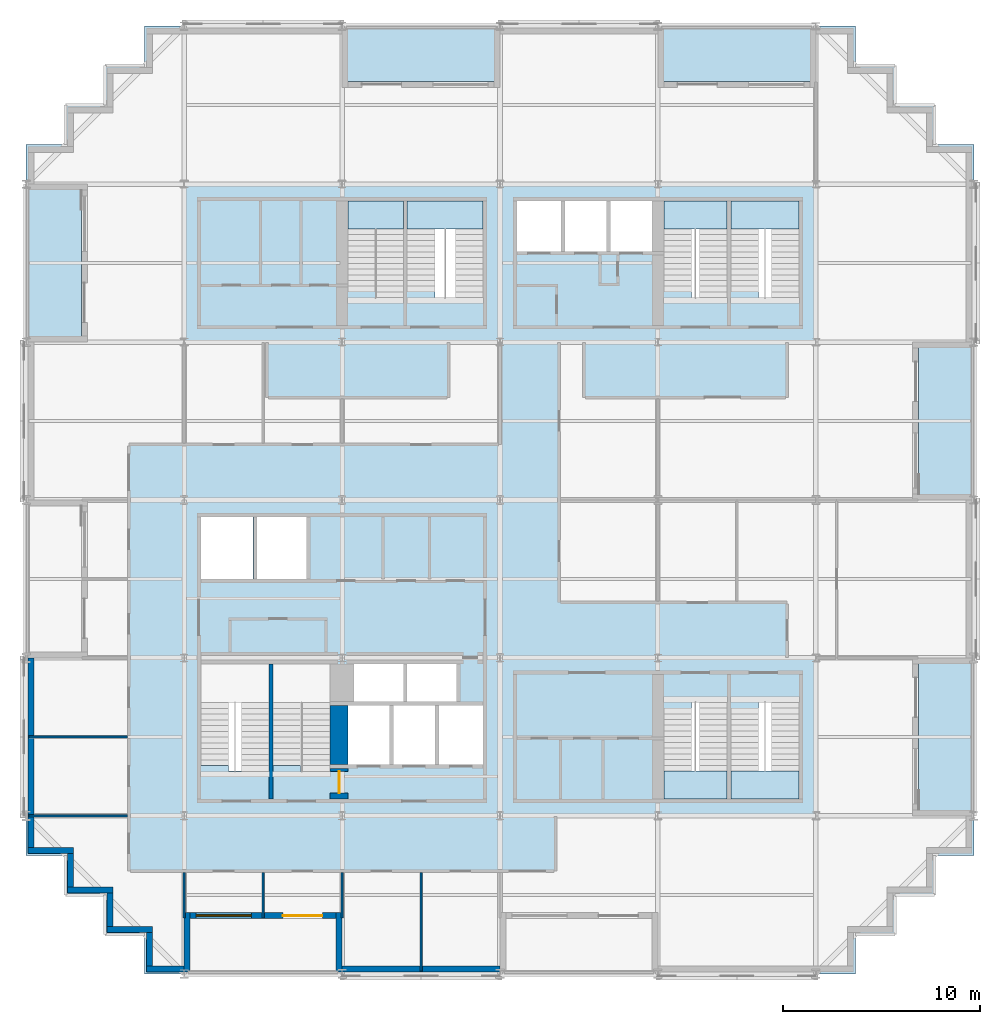
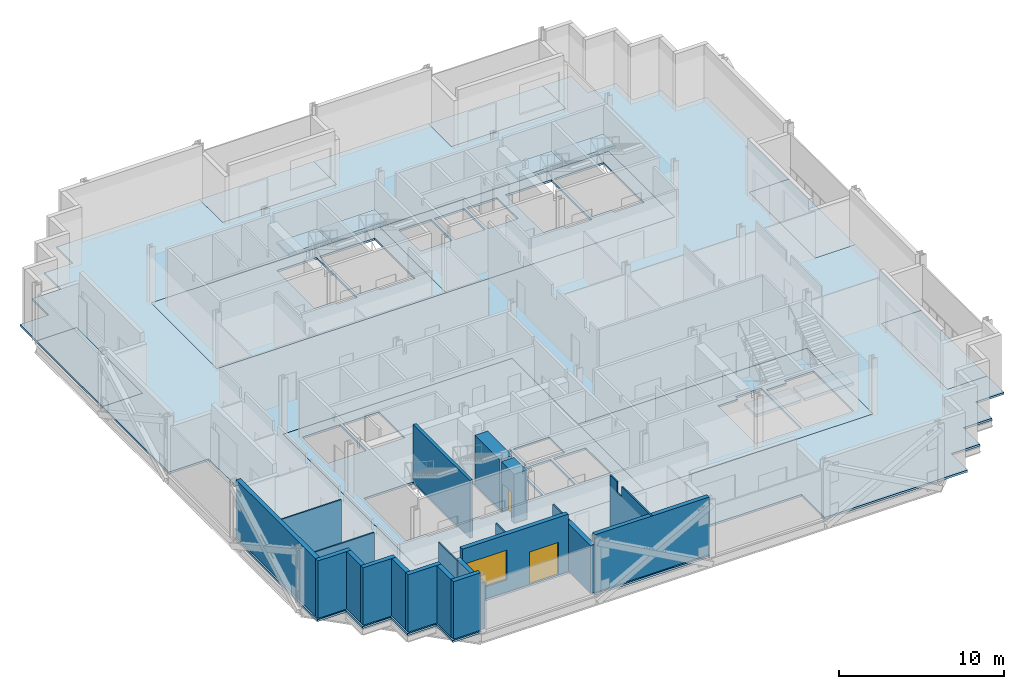
# One storey, part 5 of 13: 21 walls, 16 slabs, 2 doors, 1 window, 3 openings, 6 elements without a shape of their own.
"""IFC4 building model written with IfcOpenShell, lengths in metres."""

from ifc_helpers import new_model, si_unit, direction, frame, frame_2d, origin, place, context, subcontext, project, spatial, polyline, rectangle, outline, extrude, material, layer, layer_set, type_object, element, fill, aggregate, save


model = new_model("IFC4")

# Units and contexts
model_context = context("Model", 3, precision=1e-05, world=origin(), true_north=direction((0.0, 1.0)))
body_context = subcontext(model_context, "Body", "Model", "MODEL_VIEW")
ifc_project = project(units=[si_unit("LENGTHUNIT", "METRE"), si_unit("AREAUNIT", "SQUARE_METRE"), si_unit("VOLUMEUNIT", "CUBIC_METRE"), si_unit("PLANEANGLEUNIT", "RADIAN"), si_unit("MASSUNIT", "GRAM", prefix="KILO")], contexts=[model_context])

# Site, building, storey
site_placement = place(None, origin())
site = spatial("IfcSite", under=ifc_project, at=site_placement, CompositionType="ELEMENT")
building_placement = place(site_placement, origin())
building = spatial("IfcBuilding", under=site, at=building_placement, Name="Immortelle Media Tower", CompositionType="ELEMENT")
storey_placement = place(building_placement, frame((0.0, 0.0, 74.39990234375)))
storey = spatial("IfcBuildingStorey", under=building, at=storey_placement, Name="L13", CompositionType="ELEMENT", Elevation=74.39990234375)

# Slabs
ifc_material_1 = material(Name="Concrete C50/60 composite deck", Category="concrete")
ifc_layer_1 = layer(ifc_material_1, 0.14990234375)
ifc_layer_set_1 = layer_set([ifc_layer_1], Name="Concrete C50/60 composite deck")
slab_type_1 = type_object("IfcSlabType", Name="Balcony slab 150", PredefinedType="FLOOR", material=ifc_layer_set_1)
slab_1_placement = place(storey_placement, frame((0.0, 0.0, -0.14990234375)))
element("IfcSlab", 1, at=slab_1_placement, inside=storey, type_object=slab_type_1, Name="Balcony slab L13 W0", PredefinedType="FLOOR", context=body_context, shape_type="SweptSolid", body=[
    extrude(outline(polyline([(2.800048828125, 32.0), (2.800048828125, 40.0), (0.0, 40.0), (0.0, 32.0), (2.800048828125, 32.0)])), origin(), (0.0, 0.0, 1.0), 0.14990234375),
])
slab_2_placement = place(storey_placement, frame((0.0, 0.0, -0.14990234375)))
element("IfcSlab", 2, at=slab_2_placement, inside=storey, type_object=slab_type_1, Name="Balcony slab L13 E0", PredefinedType="FLOOR", context=body_context, shape_type="SweptSolid", body=[
    extrude(outline(polyline([(48.0, 8.0), (48.0, 16.0), (45.199951171875, 16.0), (45.199951171875, 8.0), (48.0, 8.0)])), origin(), (0.0, 0.0, 1.0), 0.14990234375),
])
slab_3_placement = place(storey_placement, frame((0.0, 0.0, -0.14990234375)))
element("IfcSlab", 3, at=slab_3_placement, inside=storey, type_object=slab_type_1, Name="Balcony slab L13 E2", PredefinedType="FLOOR", context=body_context, shape_type="SweptSolid", body=[
    extrude(outline(polyline([(48.0, 24.0), (48.0, 32.0), (45.199951171875, 32.0), (45.199951171875, 24.0), (48.0, 24.0)])), origin(), (0.0, 0.0, 1.0), 0.14990234375),
])
slab_4_placement = place(storey_placement, frame((0.0, 0.0, -0.14990234375)))
element("IfcSlab", 4, at=slab_4_placement, inside=storey, type_object=slab_type_1, Name="Balcony slab L13 N0", PredefinedType="FLOOR", context=body_context, shape_type="SweptSolid", body=[
    extrude(outline(polyline([(40.0, 45.199951171875), (40.0, 48.0), (32.0, 48.0), (32.0, 45.199951171875), (40.0, 45.199951171875)])), origin(), (0.0, 0.0, 1.0), 0.14990234375),
])
slab_5_placement = place(storey_placement, frame((0.0, 0.0, -0.14990234375)))
element("IfcSlab", 5, at=slab_5_placement, inside=storey, type_object=slab_type_1, Name="Balcony slab L13 N2", PredefinedType="FLOOR", context=body_context, shape_type="SweptSolid", body=[
    extrude(outline(polyline([(24.0, 45.199951171875), (24.0, 48.0), (16.0, 48.0), (16.0, 45.199951171875), (24.0, 45.199951171875)])), origin(), (0.0, 0.0, 1.0), 0.14990234375),
])
ifc_material_2 = material(Name="Concrete C50/60", Category="concrete")
ifc_layer_2 = layer(ifc_material_2, 0.14990234375)
ifc_layer_set_2 = layer_set([ifc_layer_2], Name="Concrete C50/60")
slab_type_2 = type_object("IfcSlabType", Name="Composite floor slab 150", PredefinedType="FLOOR", material=ifc_layer_set_2)
slab_6_placement = place(storey_placement, frame((0.0, 0.0, -0.14990234375)))
element("IfcSlab", 6, at=slab_6_placement, inside=storey, type_object=slab_type_2, Name="Floor slab L13", PredefinedType="FLOOR", context=body_context, shape_type="SweptSolid", body=[
    extrude(outline(polyline([(6.0, 0.0), (6.0, 2.0), (4.0, 2.0), (4.0, 4.0), (2.0, 4.0), (2.0, 6.0), (0.0, 6.0), (0.0, 16.0), (2.800048828125, 16.0), (2.800048828125, 24.0), (0.0, 24.0), (0.0, 32.0), (2.800048828125, 32.0), (2.800048828125, 40.0), (0.0, 40.0), (0.0, 42.0), (2.0, 42.0), (2.0, 44.0), (4.0, 44.0), (4.0, 46.0), (6.0, 46.0), (6.0, 48.0), (16.0, 48.0), (16.0, 45.199951171875), (24.0, 45.199951171875), (24.0, 48.0), (32.0, 48.0), (32.0, 45.199951171875), (40.0, 45.199951171875), (40.0, 48.0), (42.0, 48.0), (42.0, 46.0), (44.0, 46.0), (44.0, 44.0), (46.0, 44.0), (46.0, 42.0), (48.0, 42.0), (48.0, 32.0), (45.199951171875, 32.0), (45.199951171875, 24.0), (48.0, 24.0), (48.0, 16.0), (45.199951171875, 16.0), (45.199951171875, 8.0), (48.0, 8.0), (48.0, 6.0), (46.0, 6.0), (46.0, 4.0), (44.0, 4.0), (44.0, 2.0), (42.0, 2.0), (42.0, 0.0), (32.0, 0.0), (32.0, 2.800048828125), (24.0, 2.800048828125), (24.0, 0.0), (16.0, 0.0), (16.0, 2.800048828125), (8.0, 2.800048828125), (8.0, 0.0), (6.0, 0.0)]), holes=[polyline([(24.0, 24.0), (8.0, 24.0), (8.0, 8.0), (24.0, 8.0), (40.0, 8.0), (40.0, 16.0), (24.0, 16.0), (24.0, 24.0)]), polyline([(24.0, 32.0), (40.0, 32.0), (40.0, 40.0), (24.0, 40.0), (8.0, 40.0), (8.0, 32.0), (24.0, 32.0)])]), origin(), (0.0, 0.0, 1.0), 0.14990234375),
])
ifc_layer_3 = layer(ifc_material_2, 0.14990234375)
ifc_layer_set_3 = layer_set([ifc_layer_3], Name="Concrete C50/60")
slab_type_3 = type_object("IfcSlabType", Name="Core floor slab 150", PredefinedType="FLOOR", material=ifc_layer_set_3)
slab_7_placement = place(storey_placement, frame((0.0, 0.0, -0.14990234375)))
element("IfcSlab", 7, at=slab_7_placement, inside=storey, type_object=slab_type_3, Name="Core floor SW", PredefinedType="FLOOR", context=body_context, shape_type="SweptSolid", body=[
    extrude(outline(polyline([(8.0, 8.0), (24.0, 8.0), (24.0, 24.0), (8.0, 24.0), (8.0, 8.0)]), holes=[polyline([(8.85009765625, 20.0), (11.5, 20.0), (11.5, 23.14990234375), (8.85009765625, 23.14990234375), (8.85009765625, 20.0)]), polyline([(11.699951171875, 20.0), (14.199951171875, 20.0), (14.199951171875, 23.14990234375), (11.699951171875, 23.14990234375), (11.699951171875, 20.0)]), polyline([(16.60009765625, 13.800048828125), (19.10009765625, 13.800048828125), (19.10009765625, 15.699951171875), (16.60009765625, 15.699951171875), (16.60009765625, 13.800048828125)]), polyline([(19.300048828125, 13.800048828125), (21.800048828125, 13.800048828125), (21.800048828125, 15.699951171875), (19.300048828125, 15.699951171875), (19.300048828125, 13.800048828125)]), polyline([(16.300048828125, 10.60009765625), (18.39990234375, 10.60009765625), (18.39990234375, 13.60009765625), (16.300048828125, 13.60009765625), (16.300048828125, 10.60009765625)]), polyline([(18.60009765625, 10.60009765625), (20.699951171875, 10.60009765625), (20.699951171875, 13.60009765625), (18.60009765625, 13.60009765625), (18.60009765625, 10.60009765625)]), polyline([(20.89990234375, 10.60009765625), (23.14990234375, 10.60009765625), (23.14990234375, 13.60009765625), (20.89990234375, 13.60009765625), (20.89990234375, 10.60009765625)]), polyline([(8.85009765625, 15.699951171875), (12.300048828125, 15.699951171875), (12.300048828125, 10.27001953125), (10.25, 10.27001953125), (10.25, 10.56005859375), (8.85009765625, 10.56005859375), (8.85009765625, 15.699951171875)]), polyline([(12.5, 15.699951171875), (15.39990234375, 15.699951171875), (15.39990234375, 10.27001953125), (13.89990234375, 10.27001953125), (13.89990234375, 10.56005859375), (12.5, 10.56005859375), (12.5, 15.699951171875)])]), origin(), (0.0, 0.0, 1.0), 0.14990234375),
])
slab_8_placement = place(storey_placement, frame((0.0, 0.0, -0.14990234375)))
element("IfcSlab", 8, at=slab_8_placement, inside=storey, type_object=slab_type_3, Name="Core floor SE", PredefinedType="FLOOR", context=body_context, shape_type="SweptSolid", body=[
    extrude(outline(polyline([(24.0, 8.0), (40.0, 8.0), (40.0, 16.0), (24.0, 16.0), (24.0, 8.0)]), holes=[polyline([(35.5, 13.72998046875), (35.5, 8.85009765625), (32.300048828125, 8.85009765625), (32.300048828125, 13.43994140625), (33.699951171875, 13.43994140625), (33.699951171875, 13.72998046875), (35.5, 13.72998046875)]), polyline([(39.14990234375, 13.72998046875), (39.14990234375, 8.85009765625), (35.699951171875, 8.85009765625), (35.699951171875, 13.43994140625), (37.10009765625, 13.43994140625), (37.10009765625, 13.72998046875), (39.14990234375, 13.72998046875)])]), origin(), (0.0, 0.0, 1.0), 0.14990234375),
])
slab_9_placement = place(storey_placement, frame((0.0, 0.0, -0.14990234375)))
element("IfcSlab", 9, at=slab_9_placement, inside=storey, type_object=slab_type_3, Name="Core floor NW", PredefinedType="FLOOR", context=body_context, shape_type="SweptSolid", body=[
    extrude(outline(polyline([(8.0, 32.0), (24.0, 32.0), (24.0, 40.0), (8.0, 40.0), (8.0, 32.0)]), holes=[polyline([(16.300048828125, 39.14990234375), (19.10009765625, 39.14990234375), (19.10009765625, 34.27001953125), (17.699951171875, 34.27001953125), (17.699951171875, 34.56005859375), (16.300048828125, 34.56005859375), (16.300048828125, 39.14990234375)]), polyline([(19.300048828125, 39.14990234375), (23.14990234375, 39.14990234375), (23.14990234375, 34.27001953125), (20.699951171875, 34.27001953125), (20.699951171875, 34.56005859375), (19.300048828125, 34.56005859375), (19.300048828125, 39.14990234375)])]), origin(), (0.0, 0.0, 1.0), 0.14990234375),
])
slab_10_placement = place(storey_placement, frame((0.0, 0.0, -0.14990234375)))
element("IfcSlab", 10, at=slab_10_placement, inside=storey, type_object=slab_type_3, Name="Core floor NE", PredefinedType="FLOOR", context=body_context, shape_type="SweptSolid", body=[
    extrude(outline(polyline([(24.0, 32.0), (40.0, 32.0), (40.0, 40.0), (24.0, 40.0), (24.0, 32.0)]), holes=[polyline([(24.85009765625, 36.60009765625), (27.10009765625, 36.60009765625), (27.10009765625, 39.14990234375), (24.85009765625, 39.14990234375), (24.85009765625, 36.60009765625)]), polyline([(27.300048828125, 36.60009765625), (29.39990234375, 36.60009765625), (29.39990234375, 39.14990234375), (27.300048828125, 39.14990234375), (27.300048828125, 36.60009765625)]), polyline([(29.60009765625, 36.60009765625), (31.699951171875, 36.60009765625), (31.699951171875, 39.14990234375), (29.60009765625, 39.14990234375), (29.60009765625, 36.60009765625)]), polyline([(32.300048828125, 39.14990234375), (35.5, 39.14990234375), (35.5, 34.27001953125), (33.699951171875, 34.27001953125), (33.699951171875, 34.56005859375), (32.300048828125, 34.56005859375), (32.300048828125, 39.14990234375)]), polyline([(35.699951171875, 39.14990234375), (39.14990234375, 39.14990234375), (39.14990234375, 34.27001953125), (37.10009765625, 34.27001953125), (37.10009765625, 34.56005859375), (35.699951171875, 34.56005859375), (35.699951171875, 39.14990234375)])]), origin(), (0.0, 0.0, 1.0), 0.14990234375),
])

# Stair, slab
ifc_material_3 = material(Name="Steel ASTM A992 Gr 50", Category="steel")
stair_type = type_object("IfcStairType", Name="Stair with flights", PredefinedType="DOUBLE_RETURN_STAIR", material=ifc_material_3)
stair_1_placement = place(storey_placement, origin())
stair_1 = element("IfcStair", 11, at=stair_1_placement, inside=storey, type_object=stair_type, Name="Exit stair SE1", PredefinedType="DOUBLE_RETURN_STAIR")
ifc_material_4 = material(Name="Steel ASTM A572 Gr 50", Category="steel")
ifc_layer_4 = layer(ifc_material_4, 0.199951171875)
ifc_layer_set_4 = layer_set([ifc_layer_4], Name="Steel ASTM A572 Gr 50")
slab_type_4 = type_object("IfcSlabType", Name="Stair landing 200", PredefinedType="LANDING", material=ifc_layer_set_4)
slab_11_placement = place(storey_placement, frame((0.0, 0.0, 1.912109375)))
slab_11 = element("IfcSlab", 12, at=slab_11_placement, type_object=slab_type_4, Name="ST SE1 landing 1", PredefinedType="LANDING", context=body_context, shape_type="SweptSolid", body=[
    extrude(outline(polyline([(32.300048828125, 8.85009765625), (35.5, 8.85009765625), (35.5, 10.27001953125), (32.300048828125, 10.27001953125), (32.300048828125, 8.85009765625)])), origin(), (0.0, 0.0, 1.0), 0.199951171875),
])
aggregate(stair_1, [slab_11])

stair_2_placement = place(storey_placement, origin())
stair_2 = element("IfcStair", 13, at=stair_2_placement, inside=storey, type_object=stair_type, Name="Exit stair SE2", PredefinedType="DOUBLE_RETURN_STAIR")
slab_12_placement = place(storey_placement, frame((0.0, 0.0, 1.912109375)))
slab_12 = element("IfcSlab", 14, at=slab_12_placement, type_object=slab_type_4, Name="ST SE2 landing 1", PredefinedType="LANDING", context=body_context, shape_type="SweptSolid", body=[
    extrude(outline(polyline([(35.699951171875, 8.85009765625), (39.14990234375, 8.85009765625), (39.14990234375, 10.27001953125), (35.699951171875, 10.27001953125), (35.699951171875, 8.85009765625)])), origin(), (0.0, 0.0, 1.0), 0.199951171875),
])
aggregate(stair_2, [slab_12])

stair_3_placement = place(storey_placement, origin())
stair_3 = element("IfcStair", 15, at=stair_3_placement, inside=storey, type_object=stair_type, Name="Exit stair NW1", PredefinedType="DOUBLE_RETURN_STAIR")
slab_13_placement = place(storey_placement, frame((0.0, 0.0, 1.912109375)))
slab_13 = element("IfcSlab", 16, at=slab_13_placement, type_object=slab_type_4, Name="ST NW1 landing 1", PredefinedType="LANDING", context=body_context, shape_type="SweptSolid", body=[
    extrude(outline(polyline([(16.300048828125, 37.72998046875), (19.10009765625, 37.72998046875), (19.10009765625, 39.14990234375), (16.300048828125, 39.14990234375), (16.300048828125, 37.72998046875)])), origin(), (0.0, 0.0, 1.0), 0.199951171875),
])
aggregate(stair_3, [slab_13])

stair_4_placement = place(storey_placement, origin())
stair_4 = element("IfcStair", 17, at=stair_4_placement, inside=storey, type_object=stair_type, Name="Exit stair NW2", PredefinedType="DOUBLE_RETURN_STAIR")
slab_14_placement = place(storey_placement, frame((0.0, 0.0, 1.912109375)))
slab_14 = element("IfcSlab", 18, at=slab_14_placement, type_object=slab_type_4, Name="ST NW2 landing 1", PredefinedType="LANDING", context=body_context, shape_type="SweptSolid", body=[
    extrude(outline(polyline([(19.300048828125, 37.72998046875), (23.14990234375, 37.72998046875), (23.14990234375, 39.14990234375), (19.300048828125, 39.14990234375), (19.300048828125, 37.72998046875)])), origin(), (0.0, 0.0, 1.0), 0.199951171875),
])
aggregate(stair_4, [slab_14])

stair_5_placement = place(storey_placement, origin())
stair_5 = element("IfcStair", 19, at=stair_5_placement, inside=storey, type_object=stair_type, Name="Exit stair NE1", PredefinedType="DOUBLE_RETURN_STAIR")
slab_15_placement = place(storey_placement, frame((0.0, 0.0, 1.912109375)))
slab_15 = element("IfcSlab", 20, at=slab_15_placement, type_object=slab_type_4, Name="ST NE1 landing 1", PredefinedType="LANDING", context=body_context, shape_type="SweptSolid", body=[
    extrude(outline(polyline([(32.300048828125, 37.72998046875), (35.5, 37.72998046875), (35.5, 39.14990234375), (32.300048828125, 39.14990234375), (32.300048828125, 37.72998046875)])), origin(), (0.0, 0.0, 1.0), 0.199951171875),
])
aggregate(stair_5, [slab_15])

stair_6_placement = place(storey_placement, origin())
stair_6 = element("IfcStair", 21, at=stair_6_placement, inside=storey, type_object=stair_type, Name="Exit stair NE2", PredefinedType="DOUBLE_RETURN_STAIR")
slab_16_placement = place(storey_placement, frame((0.0, 0.0, 1.912109375)))
slab_16 = element("IfcSlab", 22, at=slab_16_placement, type_object=slab_type_4, Name="ST NE2 landing 1", PredefinedType="LANDING", context=body_context, shape_type="SweptSolid", body=[
    extrude(outline(polyline([(35.699951171875, 37.72998046875), (39.14990234375, 37.72998046875), (39.14990234375, 39.14990234375), (35.699951171875, 39.14990234375), (35.699951171875, 37.72998046875)])), origin(), (0.0, 0.0, 1.0), 0.199951171875),
])
aggregate(stair_6, [slab_16])

# Walls
ifc_material_5 = material(Name="Pale aluminium cladding panel", Category="aluminium")
ifc_layer_5 = layer(ifc_material_5, 0.030029296875)
ifc_material_6 = material(Name="Steel ASTM A653 SS Gr 50 stud frame with mineral wool", Category="steel")
ifc_layer_6 = layer(ifc_material_6, 0.257568359375)
ifc_material_7 = material(Name="Moisture-resistant gypsum board", Category="gypsum")
ifc_layer_7 = layer(ifc_material_7, 0.012451171875)
ifc_layer_set_5 = layer_set([ifc_layer_5, ifc_layer_6, ifc_layer_7], Name="Steel ASTM A653 SS Gr 50 stud frame with mineral wool")
wall_type_1 = type_object("IfcWallType", Name="Facade wall 300", PredefinedType="SOLIDWALL", material=ifc_layer_set_5)
wall_1_placement = place(storey_placement, frame((0.25, 16.0, 0.0), z_axis=(0.0, 0.0, 1.0), x_axis=(0.0, -1.0, 0.0)))
element("IfcWall", 23, at=wall_1_placement, inside=storey, type_object=wall_type_1, Name="Facade wall L13 W0", PredefinedType="SOLIDWALL", context=body_context, shape_type="SweptSolid", body=[
    extrude(rectangle(XDim=9.60009765625, YDim=0.300048828125, at=frame_2d((4.800048828125, 0.0))), origin(), (0.0, 0.0, 1.0), 4.25),
])
wall_2_placement = place(storey_placement, frame((0.10009765625, 6.25, 0.0), z_axis=(0.0, 0.0, 1.0), x_axis=(1.0, 0.0, 0.0)))
element("IfcWall", 24, at=wall_2_placement, inside=storey, type_object=wall_type_1, Name="Facade wall L13 S1", PredefinedType="SOLIDWALL", context=body_context, shape_type="SweptSolid", body=[
    extrude(rectangle(XDim=2.2998046875, YDim=0.300048828125, at=frame_2d((1.14990234375, 0.0))), origin(), (0.0, 0.0, 1.0), 4.25),
])
wall_3_placement = place(storey_placement, frame((2.25, 6.10009765625, 0.0), z_axis=(0.0, 0.0, 1.0), x_axis=(0.0, -1.0, 0.0)))
element("IfcWall", 25, at=wall_3_placement, inside=storey, type_object=wall_type_1, Name="Facade wall L13 W2", PredefinedType="SOLIDWALL", context=body_context, shape_type="SweptSolid", body=[
    extrude(rectangle(XDim=1.7001953125, YDim=0.300048828125, at=frame_2d((0.85009765625, 0.0))), origin(), (0.0, 0.0, 1.0), 4.25),
])
wall_4_placement = place(storey_placement, frame((2.10009765625, 4.25, 0.0), z_axis=(0.0, 0.0, 1.0), x_axis=(1.0, 0.0, 0.0)))
element("IfcWall", 26, at=wall_4_placement, inside=storey, type_object=wall_type_1, Name="Facade wall L13 S3", PredefinedType="SOLIDWALL", context=body_context, shape_type="SweptSolid", body=[
    extrude(rectangle(XDim=2.2998046875, YDim=0.300048828125, at=frame_2d((1.14990234375, 0.0))), origin(), (0.0, 0.0, 1.0), 4.25),
])
wall_5_placement = place(storey_placement, frame((4.25, 4.10009765625, 0.0), z_axis=(0.0, 0.0, 1.0), x_axis=(0.0, -1.0, 0.0)))
element("IfcWall", 27, at=wall_5_placement, inside=storey, type_object=wall_type_1, Name="Facade wall L13 W4", PredefinedType="SOLIDWALL", context=body_context, shape_type="SweptSolid", body=[
    extrude(rectangle(XDim=1.7001953125, YDim=0.300048828125, at=frame_2d((0.85009765625, 0.0))), origin(), (0.0, 0.0, 1.0), 4.25),
])
wall_6_placement = place(storey_placement, frame((4.10009765625, 2.25, 0.0), z_axis=(0.0, 0.0, 1.0), x_axis=(1.0, 0.0, 0.0)))
element("IfcWall", 28, at=wall_6_placement, inside=storey, type_object=wall_type_1, Name="Facade wall L13 S5", PredefinedType="SOLIDWALL", context=body_context, shape_type="SweptSolid", body=[
    extrude(rectangle(XDim=2.2998046875, YDim=0.300048828125, at=frame_2d((1.14990234375, 0.0))), origin(), (0.0, 0.0, 1.0), 4.25),
])
wall_7_placement = place(storey_placement, frame((6.25, 2.10009765625, 0.0), z_axis=(0.0, 0.0, 1.0), x_axis=(0.0, -1.0, 0.0)))
element("IfcWall", 29, at=wall_7_placement, inside=storey, type_object=wall_type_1, Name="Facade wall L13 W6", PredefinedType="SOLIDWALL", context=body_context, shape_type="SweptSolid", body=[
    extrude(rectangle(XDim=1.7001953125, YDim=0.300048828125, at=frame_2d((0.85009765625, 0.0))), origin(), (0.0, 0.0, 1.0), 4.25),
])
wall_8_placement = place(storey_placement, frame((6.10009765625, 0.25, 0.0), z_axis=(0.0, 0.0, 1.0), x_axis=(1.0, 0.0, 0.0)))
element("IfcWall", 30, at=wall_8_placement, inside=storey, type_object=wall_type_1, Name="Facade wall L13 S7", PredefinedType="SOLIDWALL", context=body_context, shape_type="SweptSolid", body=[
    extrude(rectangle(XDim=1.89990234375, YDim=0.300048828125, at=frame_2d((0.949951171875, 0.0))), origin(), (0.0, 0.0, 1.0), 4.25),
])

# Wall, openings, door, window
wall_9_placement = place(storey_placement, frame((8.300048828125, 2.949951171875, 0.0), z_axis=(0.0, 0.0, 1.0), x_axis=(1.0, 0.0, 0.0)))
wall_9 = element("IfcWall", 31, at=wall_9_placement, inside=storey, type_object=wall_type_1, Name="Loggia wall L13 S7", PredefinedType="SOLIDWALL", context=body_context, shape_type="SweptSolid", body=[
    extrude(rectangle(XDim=7.39990234375, YDim=0.300048828125, at=frame_2d((3.699951171875, 0.0))), origin(), (0.0, 0.0, 1.0), 4.25),
])
opening_1_placement = place(wall_9_placement, frame((0.300048828125, 0.0, 0.89990234375)))
opening_1 = element("IfcOpeningElement", 32, at=opening_1_placement, cuts=wall_9, Name="Opening W1", PredefinedType="OPENING", context=body_context, shape_type="SweptSolid", body=[
    extrude(rectangle(XDim=2.800048828125, YDim=2.199951171875, at=frame_2d((1.39990234375, 1.10009765625))), frame((0.0, 0.159912109375, 0.0), z_axis=(0.0, -1.0, 0.0), x_axis=(1.0, 0.0, 0.0)), (0.0, 0.0, 1.0), 0.320068359375),
])
opening_2_placement = place(wall_9_placement, frame((4.699951171875, 0.0, 0.0)))
opening_2 = element("IfcOpeningElement", 33, at=opening_2_placement, cuts=wall_9, Name="Opening N4-E003", PredefinedType="OPENING", context=body_context, shape_type="SweptSolid", body=[
    extrude(rectangle(XDim=2.0, YDim=2.39990234375, at=frame_2d((1.0, 1.199951171875))), frame((0.0, 0.159912109375, 0.0), z_axis=(0.0, -1.0, 0.0), x_axis=(1.0, 0.0, 0.0)), (0.0, 0.0, 1.0), 0.320068359375),
])
ifc_material_8 = material(Name="Aluminium frame, glazed leaves", Category="aluminium")
door_type_1 = type_object("IfcDoorType", Name="Loggia door 2000 x 2400", OperationType="DOUBLE_DOOR_SINGLE_SWING", PredefinedType="DOOR", material=ifc_material_8)
door_1_placement = place(opening_2_placement, origin())
door_1 = element("IfcDoor", 34, at=door_1_placement, inside=storey, type_object=door_type_1, Name="Door N4-E003", OperationType="DOUBLE_DOOR_SINGLE_SWING", OverallHeight=2.39990234375, OverallWidth=2.0, PredefinedType="DOOR", context=body_context, shape_type="SweptSolid", body=[
    extrude(rectangle(XDim=2.0, YDim=2.39990234375, at=frame_2d((1.0, 1.199951171875))), frame((0.0, 0.02490234375, 0.0), z_axis=(0.0, -1.0, 0.0), x_axis=(1.0, 0.0, 0.0)), (0.0, 0.0, 1.0), 0.050048828125),
])
fill(opening_2, door_1)
ifc_material_9 = material(Name="Aluminium frame", Category="aluminium")
window_type = type_object("IfcWindowType", Name="Window 2800 x 2200", PartitioningType="SINGLE_PANEL", PredefinedType="WINDOW", material=ifc_material_9)
window_placement = place(opening_1_placement, origin())
window = element("IfcWindow", 35, at=window_placement, inside=storey, type_object=window_type, Name="Window L13 L13-R7-B0", OverallHeight=2.199951171875, OverallWidth=2.800048828125, PartitioningType="SINGLE_PANEL", PredefinedType="WINDOW", context=body_context, shape_type="SweptSolid", body=[
    extrude(rectangle(XDim=2.800048828125, YDim=2.199951171875, at=frame_2d((1.39990234375, 1.10009765625))), frame((0.0, 0.030029296875, 0.0), z_axis=(0.0, -1.0, 0.0), x_axis=(1.0, 0.0, 0.0)), (0.0, 0.0, 1.0), 0.06005859375),
])
fill(opening_1, window)

# Walls
wall_10_placement = place(storey_placement, frame((8.14990234375, 0.10009765625, 0.0), z_axis=(0.0, 0.0, 1.0), x_axis=(0.0, 1.0, 0.0)))
element("IfcWall", 36, at=wall_10_placement, inside=storey, type_object=wall_type_1, Name="Loggia cheek wall L13 S", PredefinedType="SOLIDWALL", context=body_context, shape_type="SweptSolid", body=[
    extrude(rectangle(XDim=3.0, YDim=0.300048828125, at=frame_2d((1.5, 0.0))), origin(), (0.0, 0.0, 1.0), 3.468994140625),
])
wall_11_placement = place(storey_placement, frame((15.85009765625, 0.10009765625, 0.0), z_axis=(0.0, 0.0, 1.0), x_axis=(0.0, 1.0, 0.0)))
element("IfcWall", 37, at=wall_11_placement, inside=storey, type_object=wall_type_1, Name="Loggia cheek wall L13 S", PredefinedType="SOLIDWALL", context=body_context, shape_type="SweptSolid", body=[
    extrude(rectangle(XDim=3.0, YDim=0.300048828125, at=frame_2d((1.5, 0.0))), origin(), (0.0, 0.0, 1.0), 3.55615234375),
])
wall_12_placement = place(storey_placement, frame((16.0, 0.25, 0.0), z_axis=(0.0, 0.0, 1.0), x_axis=(1.0, 0.0, 0.0)))
element("IfcWall", 38, at=wall_12_placement, inside=storey, type_object=wall_type_1, Name="Facade wall L13 S7", PredefinedType="SOLIDWALL", context=body_context, shape_type="SweptSolid", body=[
    extrude(rectangle(XDim=8.0, YDim=0.300048828125, at=frame_2d((4.0, 0.0))), origin(), (0.0, 0.0, 1.0), 4.25),
])
ifc_material_10 = material(Name="Gypsum board", Category="gypsum")
ifc_layer_8 = layer(ifc_material_10, 0.012451171875)
ifc_layer_9 = layer(ifc_material_6, 0.074951171875)
ifc_layer_10 = layer(ifc_material_10, 0.012451171875)
ifc_layer_set_6 = layer_set([ifc_layer_8, ifc_layer_9, ifc_layer_10], Name="Steel ASTM A653 SS Gr 50 stud frame with mineral wool")
wall_type_2 = type_object("IfcWallType", Name="Partition 100", PredefinedType="PARTITIONING", material=ifc_layer_set_6)
wall_13_placement = place(storey_placement, frame((20.0, 0.1298828125, 0.0), z_axis=(0.0, 0.0, 1.0), x_axis=(0.0, 1.0, 0.0)))
element("IfcWall", 39, at=wall_13_placement, inside=storey, type_object=wall_type_2, Name="Partition L13-001", PredefinedType="PARTITIONING", context=body_context, shape_type="SweptSolid", body=[
    extrude(outline(polyline([(0.0, 0.0), (4.9951171875, 0.0), (4.9951171875, 4.25), (4.169921875, 4.25), (4.16796875, 3.47021484375), (3.572021484375, 3.47021484375), (3.570068359375, 4.25), (0.0, 4.25), (0.0, 0.0)])), frame((0.0, 0.050048828125, 0.0), z_axis=(0.0, -1.0, 0.0), x_axis=(1.0, 0.0, 0.0)), (0.0, 0.0, 1.0), 0.10009765625),
])
for number, where, z_axis, x_axis, name in (
    (40, (8.0, 2.830078125, 0.0), (0.0, 0.0, 1.0), (0.0, 1.0, 0.0), "Partition L13-002"),
    (41, (12.0, 2.830078125, 0.0), (0.0, 0.0, 1.0), (0.0, 1.0, 0.0), "Partition L13-003"),
    (42, (16.0, 2.830078125, 0.0), (0.0, 0.0, 1.0), (0.0, 1.0, 0.0), "Partition L13-004"),
):
    element("IfcWall", number, at=place(storey_placement, frame(where, z_axis=z_axis, x_axis=x_axis)), inside=storey, type_object=wall_type_2, Name=name, PredefinedType="PARTITIONING", context=body_context, shape_type="SweptSolid", body=[
        extrude(rectangle(XDim=2.294921875, YDim=0.10009765625, at=frame_2d((1.1474609375, 0.0))), origin(), (0.0, 0.0, 1.0), 3.47021484375),
    ])
for number, where, z_axis, x_axis, name in (
    (43, (0.1298828125, 8.0, 0.0), (0.0, 0.0, 1.0), (1.0, 0.0, 0.0), "Partition L13-009"),
    (44, (0.1298828125, 12.0, 0.0), (0.0, 0.0, 1.0), (1.0, 0.0, 0.0), "Partition L13-010"),
):
    element("IfcWall", number, at=place(storey_placement, frame(where, z_axis=z_axis, x_axis=x_axis)), inside=storey, type_object=wall_type_2, Name=name, PredefinedType="PARTITIONING", context=body_context, shape_type="SweptSolid", body=[
        extrude(rectangle(XDim=4.9951171875, YDim=0.10009765625, at=frame_2d((2.49755859375, 0.0))), origin(), (0.0, 0.0, 1.0), 3.47021484375),
    ])
ifc_material_11 = material(Name="Concrete C60", Category="concrete")
ifc_layer_11 = layer(ifc_material_11, 0.199951171875)
ifc_layer_set_7 = layer_set([ifc_layer_11], Name="Concrete C60")
wall_type_3 = type_object("IfcWallType", Name="Stair shaft wall 200", PredefinedType="PARTITIONING", material=ifc_layer_set_7)
wall_14_placement = place(storey_placement, frame((12.39990234375, 8.85009765625, 0.0), z_axis=(0.0, 0.0, 1.0), x_axis=(0.0, 1.0, 0.0)))
element("IfcWall", 45, at=wall_14_placement, inside=storey, type_object=wall_type_3, Name="Stair shaft wall SW", PredefinedType="PARTITIONING", context=body_context, shape_type="SweptSolid", body=[
    extrude(rectangle(XDim=6.849853515625, YDim=0.199951171875, at=frame_2d((3.4248046875, 0.0))), origin(), (0.0, 0.0, 1.0), 4.25),
])

# Wall, opening, door
ifc_layer_12 = layer(ifc_material_11, 0.89990234375)
ifc_layer_set_8 = layer_set([ifc_layer_12], Name="Concrete C60")
wall_type_4 = type_object("IfcWallType", Name="Stair shaft wall 900", PredefinedType="PARTITIONING", material=ifc_layer_set_8)
wall_15_placement = place(storey_placement, frame((15.85009765625, 8.85009765625, 0.0), z_axis=(0.0, 0.0, 1.0), x_axis=(0.0, 1.0, 0.0)))
wall_15 = element("IfcWall", 46, at=wall_15_placement, inside=storey, type_object=wall_type_4, Name="Stair shaft wall SW", PredefinedType="PARTITIONING", context=body_context, shape_type="SweptSolid", body=[
    extrude(rectangle(XDim=1.5498046875, YDim=0.89990234375, at=frame_2d((0.77490234375, 0.0))), origin(), (0.0, 0.0, 1.0), 3.632080078125),
])
opening_3_placement = place(wall_15_placement, frame((0.300048828125, 0.0, 0.0)))
opening_3 = element("IfcOpeningElement", 47, at=opening_3_placement, cuts=wall_15, Name="Opening N4-K005", PredefinedType="OPENING", context=body_context, shape_type="SweptSolid", body=[
    extrude(rectangle(XDim=1.10009765625, YDim=2.10009765625, at=frame_2d((0.550048828125, 1.050048828125))), frame((0.0, 0.4599609375, 0.0), z_axis=(0.0, -1.0, 0.0), x_axis=(1.0, 0.0, 0.0)), (0.0, 0.0, 1.0), 0.919921875),
])
ifc_material_12 = material(Name="Galvanised steel door leaf and frame ASTM A653", Category="steel")
door_type_2 = type_object("IfcDoorType", Name="Stair lobby door 1100 x 2100", OperationType="NOTDEFINED", PredefinedType="NOTDEFINED", material=ifc_material_12)
door_2_placement = place(opening_3_placement, origin())
door_2 = element("IfcDoor", 48, at=door_2_placement, inside=storey, type_object=door_type_2, Name="Stair lobby N4-K005", OperationType="SINGLE_SWING_LEFT", OverallHeight=2.10009765625, OverallWidth=1.10009765625, PredefinedType="NOTDEFINED", context=body_context, shape_type="SweptSolid", body=[
    extrude(rectangle(XDim=1.10009765625, YDim=2.10009765625, at=frame_2d((0.550048828125, 1.050048828125))), frame((0.0, 0.02490234375, 0.0), z_axis=(0.0, -1.0, 0.0), x_axis=(1.0, 0.0, 0.0)), (0.0, 0.0, 1.0), 0.050048828125),
])
fill(opening_3, door_2)

# Wall
wall_16_placement = place(storey_placement, frame((15.85009765625, 10.60009765625, 0.0), z_axis=(0.0, 0.0, 1.0), x_axis=(0.0, 1.0, 0.0)))
element("IfcWall", 49, at=wall_16_placement, inside=storey, type_object=wall_type_4, Name="Stair shaft wall SW", PredefinedType="PARTITIONING", context=body_context, shape_type="SweptSolid", body=[
    extrude(rectangle(XDim=3.0, YDim=0.89990234375, at=frame_2d((1.5, 0.0))), origin(), (0.0, 0.0, 1.0), 3.632080078125),
])

save(model, "model.ifc")
